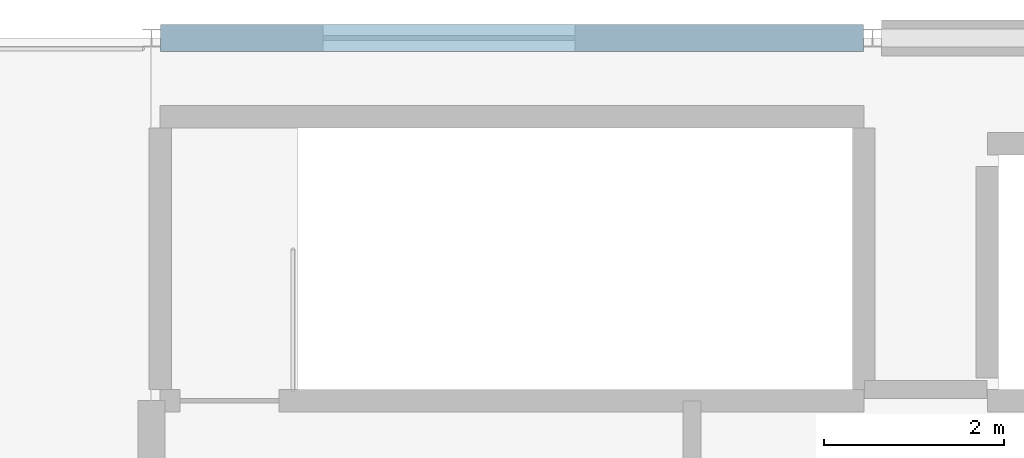
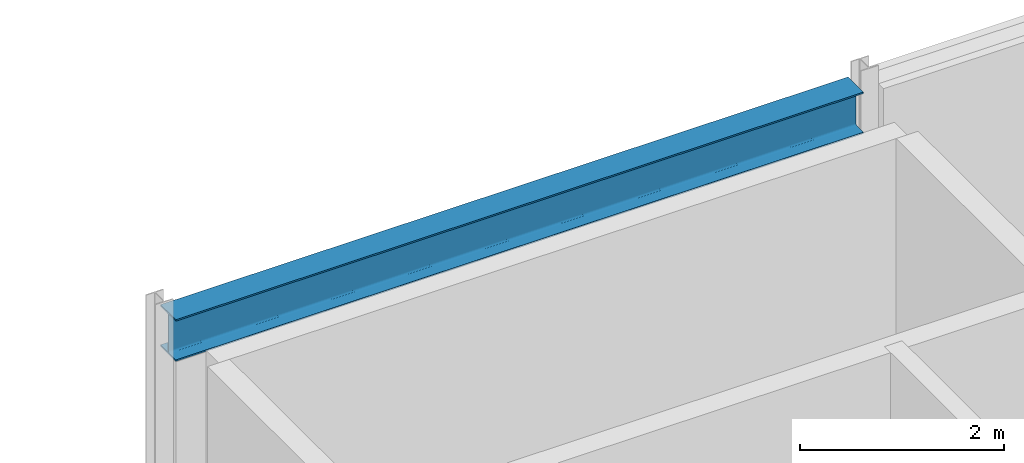
# One storey, part 3 of 8: 1 beam.
"""IFC4 building model written with IfcOpenShell, lengths in metres."""

from ifc_helpers import new_model, si_unit, direction, frame, origin, origin_2d, place, context, subcontext, project, spatial, i_section, extrude, material, material_profile, profile_set, type_object, element, save


model = new_model("IFC4")

# Units and contexts
model_context = context("Model", 3, precision=1e-05, world=origin(), true_north=direction((0.0, 1.0)))
body_context = subcontext(model_context, "Body", "Model", "MODEL_VIEW")
ifc_project = project(units=[si_unit("LENGTHUNIT", "METRE"), si_unit("AREAUNIT", "SQUARE_METRE"), si_unit("VOLUMEUNIT", "CUBIC_METRE"), si_unit("PLANEANGLEUNIT", "RADIAN"), si_unit("MASSUNIT", "GRAM", prefix="KILO"), si_unit("THERMODYNAMICTEMPERATUREUNIT", "KELVIN"), si_unit("POWERUNIT", "WATT")], contexts=[model_context])

# Site, building, storey
site_placement = place(None, origin())
site = spatial("IfcSite", under=ifc_project, at=site_placement, CompositionType="ELEMENT")
building_placement = place(site_placement, origin())
building = spatial("IfcBuilding", under=site, at=building_placement, Name="Zhenchuan Central Fire Station", CompositionType="ELEMENT")
storey_placement = place(building_placement, frame((0.0, 0.0, 22.64990234375)))
storey = spatial("IfcBuildingStorey", under=building, at=storey_placement, Name="L06", CompositionType="ELEMENT", Elevation=22.64990234375)

# Beam
ifc_material = material(Name="Steel Q355B", Category="steel")
ifc_material_profile = material_profile(ifc_material, i_section(OverallWidth=0.300048828125, OverallDepth=0.5, WebThickness=0.010986328125, FlangeThickness=0.01806640625, FilletRadius=0.02197265625, at=origin_2d()), Name="HM 500x300")
ifc_profile_set = profile_set([ifc_material_profile], Name="Steel Q355B")
beam_type = type_object("IfcBeamType", Name="BM-HM500", PredefinedType="BEAM", material=ifc_profile_set)
beam_placement = place(storey_placement, frame((140.10009765625, 56.5, 3.72998046875), z_axis=(1.0, 0.0, 0.0), x_axis=(0.0, 1.0, 0.0)))
element("IfcBeam", 1, at=beam_placement, inside=storey, type_object=beam_type, Name="RF Girder EW 0512", PredefinedType="BEAM", context=body_context, shape_type="SweptSolid", body=[
    extrude(i_section(OverallWidth=0.300048828125, OverallDepth=0.5, WebThickness=0.010986328125, FlangeThickness=0.01806640625, FilletRadius=0.02197265625, at=origin_2d()), origin(), (0.0, 0.0, 1.0), 7.7998046875),
])

save(model, "model.ifc")
